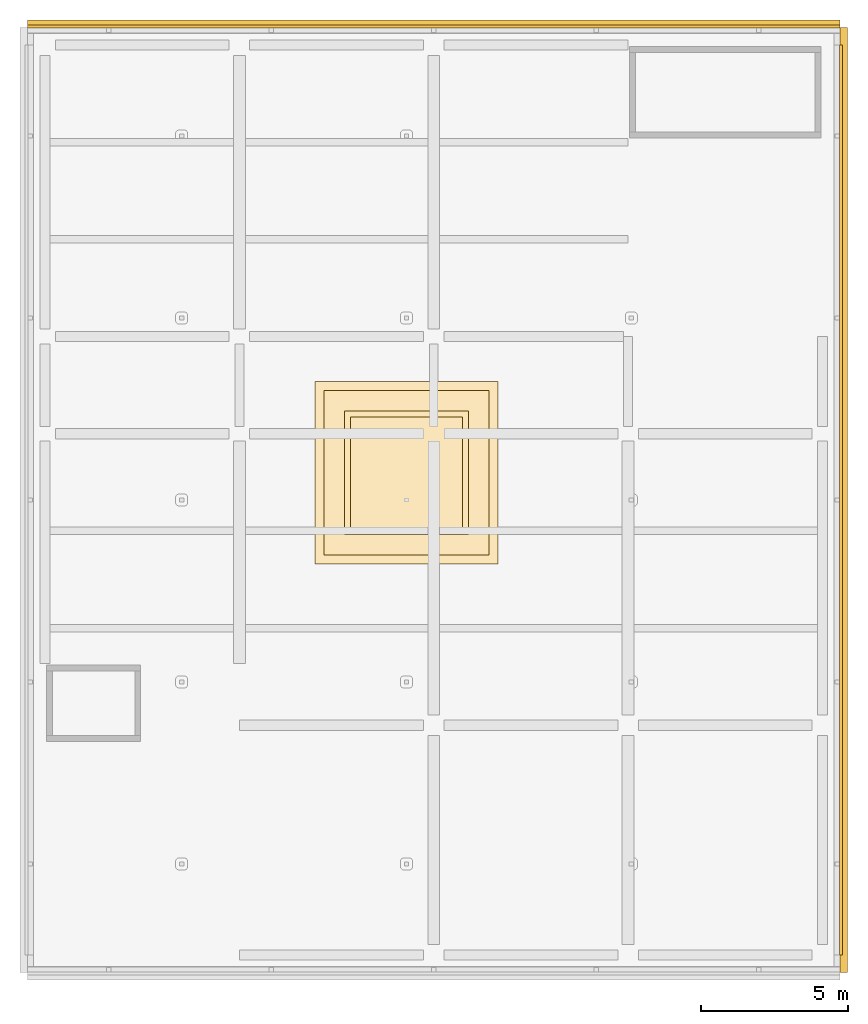
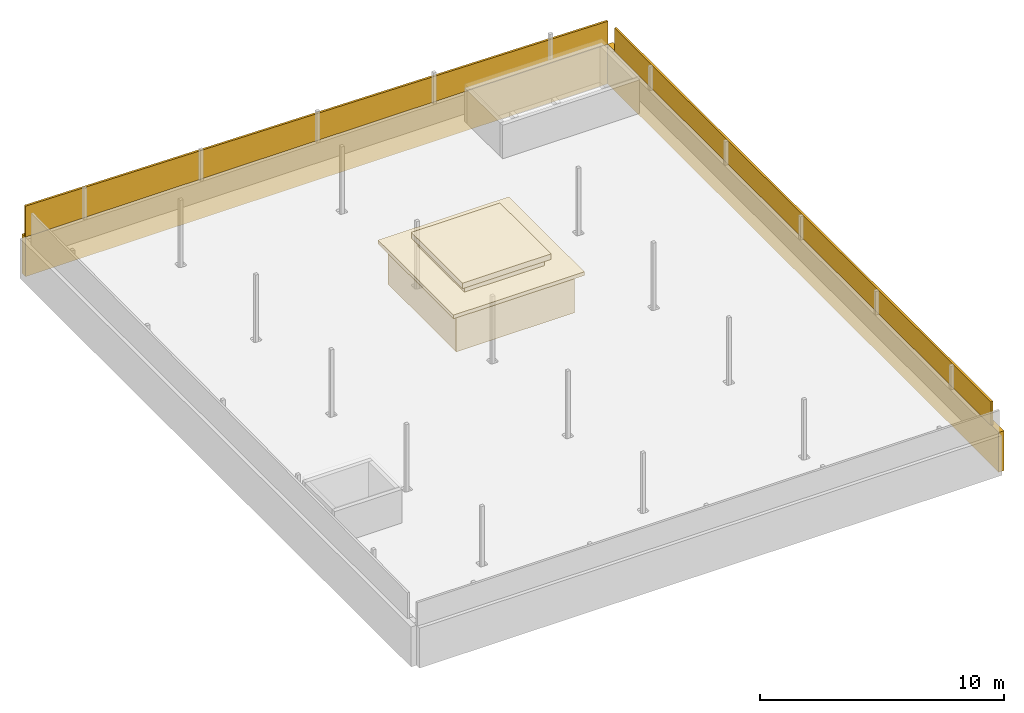
# One storey, part 4 of 4: 8 coverings.
"""IFC4 building model written with IfcOpenShell, lengths in metres."""

from ifc_helpers import new_model, si_unit, direction, frame, frame_2d, origin, origin_2d, place, context, subcontext, project, spatial, polyline, rectangle, outline, extrude, material, layer, layer_set, type_object, element, save


model = new_model("IFC4")

# Units and contexts
model_context = context("Model", 3, precision=1e-05, world=origin(), true_north=direction((0.0, 1.0)))
body_context = subcontext(model_context, "Body", "Model", "MODEL_VIEW")
ifc_project = project(units=[si_unit("LENGTHUNIT", "METRE"), si_unit("AREAUNIT", "SQUARE_METRE"), si_unit("VOLUMEUNIT", "CUBIC_METRE"), si_unit("PLANEANGLEUNIT", "RADIAN"), si_unit("MASSUNIT", "GRAM", prefix="KILO")], contexts=[model_context])

# Site, building, storey
site_placement = place(None, origin())
site = spatial("IfcSite", under=ifc_project, at=site_placement, CompositionType="ELEMENT")
building_placement = place(site_placement, origin())
building = spatial("IfcBuilding", under=site, at=building_placement, Name="Lantern Court Research Institute", CompositionType="ELEMENT")
storey_placement = place(building_placement, frame((0.0, 0.0, 45.89990234375)))
storey = spatial("IfcBuildingStorey", under=building, at=storey_placement, Name="RF", CompositionType="ELEMENT", Elevation=45.89990234375)

# Coverings
ifc_material_1 = material(Name="Aluminium composite panel with mineral wool insulation", Category="aluminium")
ifc_layer_1 = layer(ifc_material_1, 0.25)
ifc_layer_set_1 = layer_set([ifc_layer_1], Name="Aluminium composite panel with mineral wool insulation")
covering_type_1 = type_object("IfcCoveringType", Name="Oversail edge band 250 aluminium composite", PredefinedType="CLADDING", material=ifc_layer_set_1)
covering_1_placement = place(storey_placement, frame((52.199951171875, 23.824951171875, -0.89990234375), z_axis=(0.0, 0.0, 1.0), x_axis=(1.0, 0.0, 0.0)))
element("IfcCovering", 1, at=covering_1_placement, inside=storey, type_object=covering_type_1, Name="Oversail edge band V5N 8", PredefinedType="CLADDING", context=body_context, shape_type="SweptSolid", body=[
    extrude(rectangle(XDim=27.60009765625, YDim=0.25, at=frame_2d((13.800048828125, 0.0))), origin(), (0.0, 0.0, 1.0), 2.0),
])
covering_2_placement = place(storey_placement, frame((79.925048828125, -8.39990234375, -0.89990234375), z_axis=(0.0, 0.0, 1.0), x_axis=(0.0, 1.0, 0.0)))
element("IfcCovering", 2, at=covering_2_placement, inside=storey, type_object=covering_type_1, Name="Oversail edge band V5E 9", PredefinedType="CLADDING", context=body_context, shape_type="SweptSolid", body=[
    extrude(rectangle(XDim=32.099853515625, YDim=0.25, at=frame_2d((16.0498046875, 0.0))), origin(), (0.0, 0.0, 1.0), 2.0),
])
ifc_material_2 = material(Name="Aluminium composite panel with mineral wool insulation", Category="aluminium")
ifc_layer_2 = layer(ifc_material_2, 0.10009765625)
ifc_layer_set_2 = layer_set([ifc_layer_2], Name="Aluminium composite panel with mineral wool insulation")
covering_type_2 = type_object("IfcCoveringType", Name="Parapet cornice strip 100 aluminium composite", PredefinedType="CLADDING", material=ifc_layer_set_2)
covering_3_placement = place(storey_placement, frame((79.77490234375, -7.800048828125, -45.89990234375), z_axis=(1.0, 0.0, 0.0), x_axis=(0.0, 1.0, 0.0)))
element("IfcCovering", 3, at=covering_3_placement, inside=storey, type_object=covering_type_2, Name="Parapet cornice strip V5 9", PredefinedType="CLADDING", context=body_context, shape_type="SweptSolid", body=[
    extrude(outline(polyline([(0.0, 47.0), (30.89990234375, 47.0), (30.89990234375, 48.17626953125), (0.0, 48.17626953125), (0.0, 47.0)])), origin(), (0.0, 0.0, 1.0), 0.10009765625),
])
covering_4_placement = place(storey_placement, frame((79.800048828125, 23.675048828125, -45.89990234375), z_axis=(0.0, 1.0, 0.0), x_axis=(-1.0, 0.0, 0.0)))
element("IfcCovering", 4, at=covering_4_placement, inside=storey, type_object=covering_type_2, Name="Parapet cornice strip V5 10", PredefinedType="CLADDING", context=body_context, shape_type="SweptSolid", body=[
    extrude(outline(polyline([(0.0, 47.0), (27.60009765625, 47.0), (27.60009765625, 48.54833984375), (0.0, 48.155029296875), (0.0, 47.0)])), origin(), (0.0, 0.0, 1.0), 0.10009765625),
])
ifc_material_3 = material(Name="Aluminium composite panel with mineral wool insulation", Category="aluminium")
ifc_layer_3 = layer(ifc_material_3, 0.10009765625)
ifc_layer_set_3 = layer_set([ifc_layer_3], Name="Aluminium composite panel with mineral wool insulation")
covering_type_3 = type_object("IfcCoveringType", Name="Tower crown cladding 100 aluminium composite", PredefinedType="CLADDING", material=ifc_layer_set_3)
covering_5_placement = place(storey_placement, frame((65.074951171875, 8.574951171875, 2.67529296875), z_axis=(0.0, 0.0, 1.0), x_axis=(1.0, 0.0, 0.0)))
element("IfcCovering", 5, at=covering_5_placement, inside=storey, type_object=covering_type_3, Name="Tower crown lantern", PredefinedType="CLADDING", context=body_context, shape_type="SweptSolid", body=[
    extrude(rectangle(XDim=5.60009765625, YDim=5.60009765625, at=origin_2d()), origin(), (0.0, 0.0, 1.0), 1.947998046875),
])
covering_6_placement = place(storey_placement, frame((65.074951171875, 8.574951171875, 4.62353515625), z_axis=(0.0, 0.0, 1.0), x_axis=(1.0, 0.0, 0.0)))
element("IfcCovering", 6, at=covering_6_placement, inside=storey, type_object=covering_type_3, Name="Tower crown ring", PredefinedType="CLADDING", context=body_context, shape_type="SweptSolid", body=[
    extrude(rectangle(XDim=6.199951171875, YDim=6.199951171875, at=origin_2d()), origin(), (0.0, 0.0, 1.0), 0.18359375),
])
covering_7_placement = place(storey_placement, frame((65.074951171875, 8.574951171875, 4.80712890625), z_axis=(0.0, 0.0, 1.0), x_axis=(1.0, 0.0, 0.0)))
element("IfcCovering", 7, at=covering_7_placement, inside=storey, type_object=covering_type_3, Name="Tower crown upper", PredefinedType="CLADDING", context=body_context, shape_type="SweptSolid", body=[
    extrude(rectangle(XDim=3.800048828125, YDim=3.800048828125, at=origin_2d()), origin(), (0.0, 0.0, 1.0), 0.367431640625),
])
covering_8_placement = place(storey_placement, frame((65.074951171875, 8.574951171875, 5.17431640625), z_axis=(0.0, 0.0, 1.0), x_axis=(1.0, 0.0, 0.0)))
element("IfcCovering", 8, at=covering_8_placement, inside=storey, type_object=covering_type_3, Name="Tower crown cap", PredefinedType="CLADDING", context=body_context, shape_type="SweptSolid", body=[
    extrude(rectangle(XDim=4.199951171875, YDim=4.199951171875, at=origin_2d()), origin(), (0.0, 0.0, 1.0), 0.275634765625),
])

save(model, "model.ifc")
